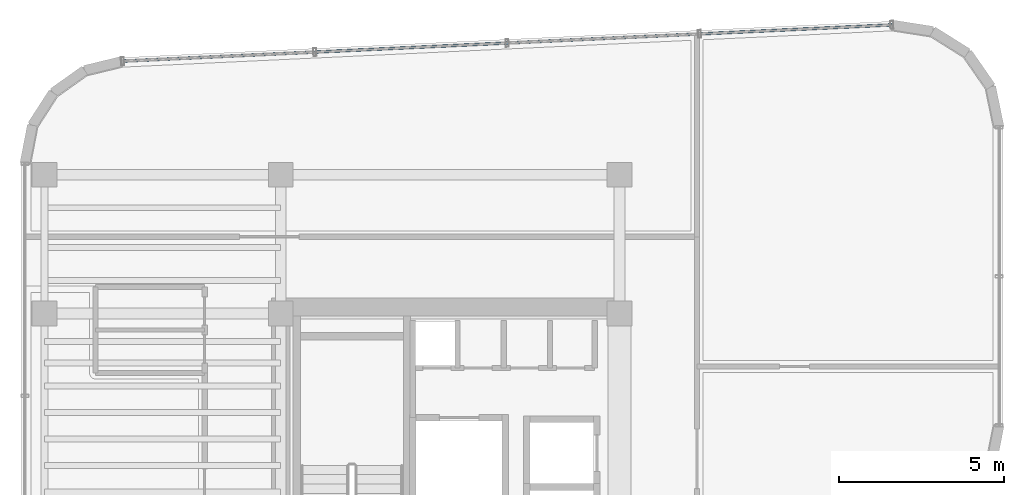
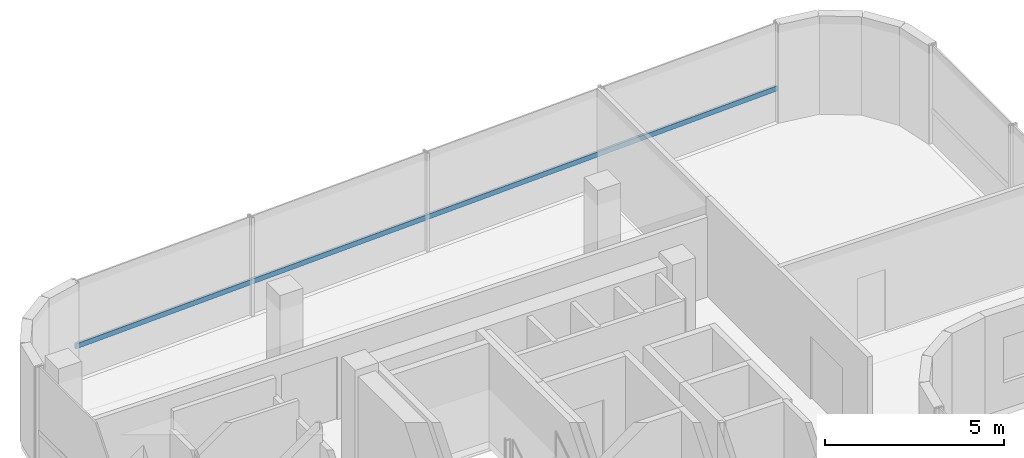
# One storey, part 10 of 17: 1 member, 1 element without a shape of its own.
"""IFC4 building model written with IfcOpenShell, lengths in metres."""

from ifc_helpers import new_model, si_unit, direction, frame, origin, origin_2d, place, context, subcontext, project, spatial, hollow_rectangle, extrude, source, transform, mapped, material, material_profile, profile_set, type_object, element, aggregate, save


model = new_model("IFC4")

# Units and contexts
model_context = context("Model", 3, precision=1e-05, world=origin(), true_north=direction((0.0, 1.0)))
body_context = subcontext(model_context, "Body", "Model", "MODEL_VIEW")
ifc_project = project(units=[si_unit("LENGTHUNIT", "METRE"), si_unit("AREAUNIT", "SQUARE_METRE"), si_unit("VOLUMEUNIT", "CUBIC_METRE"), si_unit("PLANEANGLEUNIT", "RADIAN"), si_unit("MASSUNIT", "GRAM", prefix="KILO")], contexts=[model_context])

# Site, building, storey
site_placement = place(None, origin())
site = spatial("IfcSite", under=ifc_project, at=site_placement, CompositionType="ELEMENT")
building_placement = place(site_placement, origin())
building = spatial("IfcBuilding", under=site, at=building_placement, Name="Valdorenza Pilgrim Sanctuary Tower", CompositionType="ELEMENT")
storey_placement = place(building_placement, frame((0.0, 0.0, 287.0)))
storey = spatial("IfcBuildingStorey", under=building, at=storey_placement, Name="L75", CompositionType="ELEMENT", Elevation=287.0)

# Curtain wall, member
ifc_material_1 = material(Name="Curtain-wall IGU glazing", Category="glass")
curtain_wall_type = type_object("IfcCurtainWallType", Name="CW-SYS-04", PredefinedType="NOTDEFINED", material=ifc_material_1)
curtain_wall_placement = place(storey_placement, origin())
curtain_wall = element("IfcCurtainWall", 1, at=curtain_wall_placement, inside=storey, type_object=curtain_wall_type, Name="L75 Curtain Wall CW-L75-1-6", PredefinedType="NOTDEFINED")
ifc_material_2 = material(Name="Anodised aluminium AW-6060", Category="aluminium")
ifc_material_profile = material_profile(ifc_material_2, hollow_rectangle(XDim=0.080078125, YDim=0.169921875, WallThickness=0.00390625, at=origin_2d()), Name="ALU-T 170x80x4")
ifc_profile_set = profile_set([ifc_material_profile], Name="Anodised aluminium AW-6060")
member_type = type_object("IfcMemberType", Name="CW-TRN-04", PredefinedType="USERDEFINED", material=ifc_profile_set)
shared_shape = source(origin(), body_context, "Body", "SweptSolid", [
    extrude(hollow_rectangle(XDim=0.080078125, YDim=0.169921875, WallThickness=0.00390625, at=origin_2d()), origin(), (0.0, 0.0, 1.0), 23.30419921875),
])
member_placement = place(storey_placement, frame((-27.43505859375, 18.234375, 1.1201171875), z_axis=(0.998890613053, 0.04709079693, 0.0), x_axis=(-0.04709079693, 0.998890613053, 0.0)))
member = element("IfcMember", 2, at=member_placement, type_object=member_type, Name="CW-L75-1-6 Transom 1", ObjectType="TRANSOM", PredefinedType="USERDEFINED", context=body_context, shape_type="MappedRepresentation", body=[
    mapped(shared_shape, transform((0.0, 0.0, 0.0), x_axis=(1.0, 0.0, 0.0), y_axis=(0.0, 1.0, 0.0), z_axis=(0.0, 0.0, 1.0), scale=1.0)),
])
aggregate(curtain_wall, [member])

save(model, "model.ifc")
